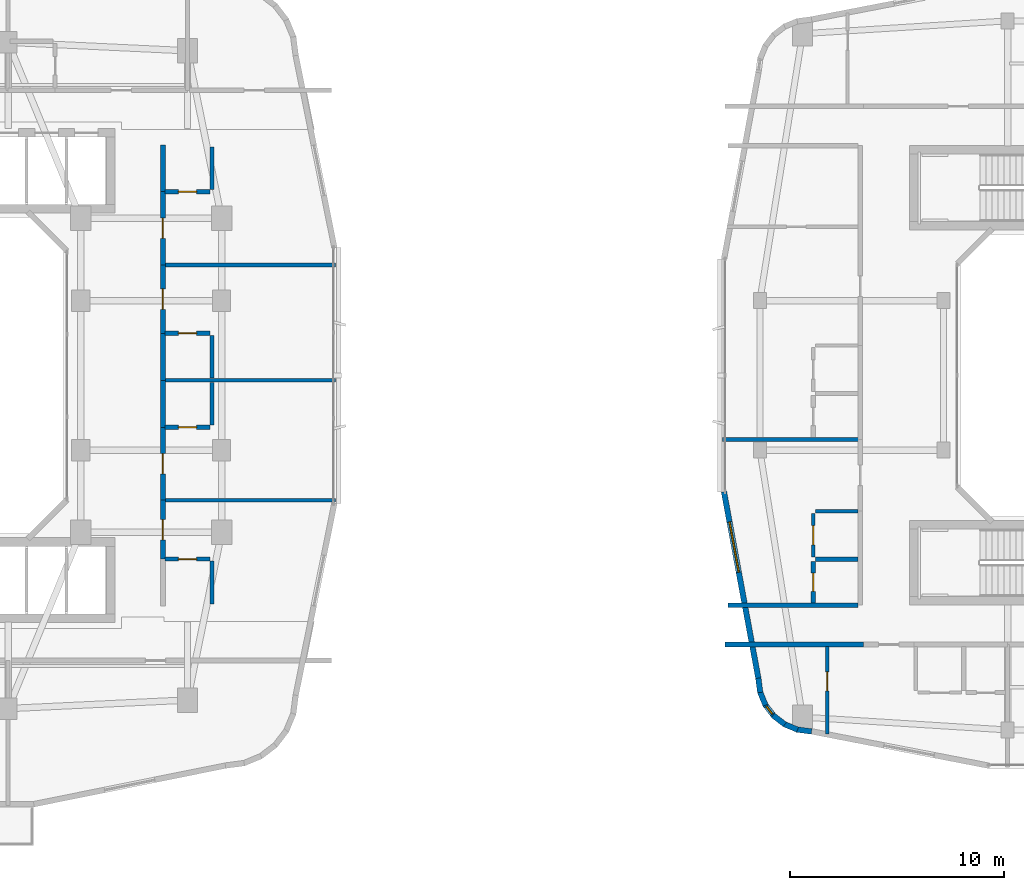
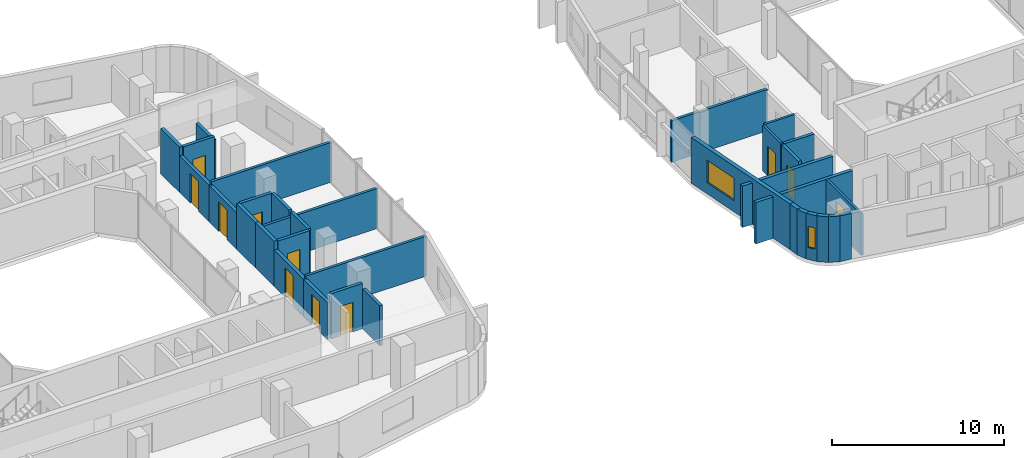
# One storey, part 13 of 26: 33 walls, 11 doors, 2 windows, 13 openings.
"""IFC4 building model written with IfcOpenShell, lengths in metres."""

from ifc_helpers import new_model, si_unit, derived_unit, direction, frame, frame_2d, origin, place, context, subcontext, project, spatial, rectangle, extrude, material, layer, layer_set, type_object, element, fill, save


model = new_model("IFC4")

# Units and contexts
model_context = context("Model", 3, precision=1e-05, world=origin(), true_north=direction((0.0, 1.0)))
body_context = subcontext(model_context, "Body", "Model", "MODEL_VIEW")
ifc_project = project(units=[si_unit("LENGTHUNIT", "METRE"), si_unit("AREAUNIT", "SQUARE_METRE"), si_unit("VOLUMEUNIT", "CUBIC_METRE"), si_unit("PLANEANGLEUNIT", "RADIAN"), si_unit("MASSUNIT", "GRAM", prefix="KILO"), derived_unit("THERMALTRANSMITTANCEUNIT", [(si_unit("POWERUNIT", "WATT"), 1), (si_unit("LENGTHUNIT", "METRE"), -2), (si_unit("THERMODYNAMICTEMPERATUREUNIT", "KELVIN"), -1)])], contexts=[model_context])

# Site, building, storey
site_placement = place(None, origin())
site = spatial("IfcSite", under=ifc_project, at=site_placement, CompositionType="ELEMENT")
building_placement = place(site_placement, origin())
building = spatial("IfcBuilding", under=site, at=building_placement, Name="Kivonza Crest Hotel", CompositionType="ELEMENT")
storey_placement = place(building_placement, frame((0.0, 0.0, 95.0)))
storey = spatial("IfcBuildingStorey", under=building, at=storey_placement, Name="L25", CompositionType="ELEMENT", Elevation=95.0)

# Walls
ifc_material_1 = material(Name="High-density acoustic masonry inter-tenancy wall", Category="masonry")
ifc_layer_1 = layer(ifc_material_1, 0.179931640625)
ifc_layer_set_1 = layer_set([ifc_layer_1], Name="High-density acoustic masonry inter-tenancy wall")
wall_type_1 = type_object("IfcWallType", Name="WL-ACOU-180", PredefinedType="SOLIDWALL", material=ifc_layer_set_1)
for number, where, z_axis, x_axis, name in (
    (1, (33.050048828125, 19.156005859375, 0.0), (0.0, 0.0, 1.0), (1.0, 0.0, 0.0), "L25 interior partition WA-L25-T1E-DIV1"),
    (2, (33.050048828125, 24.77197265625, 0.0), (0.0, 0.0, 1.0), (1.0, 0.0, 0.0), "L25 interior partition WA-L25-T1E-DIV2"),
    (3, (33.050048828125, 30.172119140625, 0.0), (0.0, 0.0, 1.0), (1.0, 0.0, 0.0), "L25 interior partition WA-L25-T1E-DIV3"),
):
    element("IfcWall", number, at=place(storey_placement, frame(where, z_axis=z_axis, x_axis=x_axis)), inside=storey, type_object=wall_type_1, Name=name, PredefinedType="SOLIDWALL", context=body_context, shape_type="SweptSolid", body=[
        extrude(rectangle(XDim=8.08984375, YDim=0.179931640625, at=frame_2d((4.044921875, 0.0))), origin(), (0.0, 0.0, 1.0), 2.8349609375),
    ])
wall_1_placement = place(storey_placement, frame((59.260009765625, 22.0, 0.0), z_axis=(0.0, 0.0, 1.0), x_axis=(1.0, 0.0, 0.0)))
element("IfcWall", 4, at=wall_1_placement, inside=storey, type_object=wall_type_1, Name="L25 interior partition WA-L25-T2W-DIV1", PredefinedType="SOLIDWALL", context=body_context, shape_type="SweptSolid", body=[
    extrude(rectangle(XDim=6.43994140625, YDim=0.179931640625, at=frame_2d((3.219970703125, 0.0))), origin(), (0.0, 0.0, 1.0), 2.945068359375),
])

# Wall, opening, door
ifc_material_2 = material(Name="Autoclaved aerated concrete blockwork", Category="masonry")
ifc_layer_2 = layer(ifc_material_2, 0.219970703125)
ifc_layer_set_2 = layer_set([ifc_layer_2], Name="Autoclaved aerated concrete blockwork")
wall_type_2 = type_object("IfcWallType", Name="WL-ACOU-220", PredefinedType="SOLIDWALL", material=ifc_layer_set_2)
wall_2_placement = place(storey_placement, frame((33.050048828125, 16.39990234375, 0.0), z_axis=(0.0, 0.0, 1.0), x_axis=(0.0, 1.0, 0.0)))
wall_2 = element("IfcWall", 5, at=wall_2_placement, inside=storey, type_object=wall_type_2, Name="L25 interior partition WA-L25-E08-MCORR", PredefinedType="SOLIDWALL", context=body_context, shape_type="SweptSolid", body=[
    extrude(rectangle(XDim=2.756103515625, YDim=0.219970703125, at=frame_2d((1.3779296875, 0.0))), origin(), (0.0, 0.0, 1.0), 2.594970703125),
])
opening_1_placement = place(wall_2_placement, frame((0.903076171875, 0.0, 0.0)))
opening_1 = element("IfcOpeningElement", 6, at=opening_1_placement, cuts=wall_2, Name="Opening DU-60", PredefinedType="OPENING", context=body_context, shape_type="SweptSolid", body=[
    extrude(rectangle(XDim=0.949951171875, YDim=2.10009765625, at=frame_2d((0.47509765625, 1.050048828125))), frame((0.0, 0.1201171875, 0.0), z_axis=(0.0, -1.0, 0.0), x_axis=(1.0, 0.0, 0.0)), (0.0, 0.0, 1.0), 0.239990234375),
])
ifc_material_3 = material(Name="Hardwood timber oak", Category="wood")
door_type_1 = type_object("IfcDoorType", Name="DR-UNIT-950", OperationType="NOTDEFINED", PredefinedType="DOOR", material=ifc_material_3)
door_1_placement = place(opening_1_placement, frame((0.949951171875, 0.0, 0.0), z_axis=(0.0, 0.0, 1.0), x_axis=(-1.0, 0.0, 0.0)))
door_1 = element("IfcDoor", 7, at=door_1_placement, inside=storey, type_object=door_type_1, Name="L25 E08 guest unit entrance fire door", OperationType="SINGLE_SWING_RIGHT", OverallHeight=2.10009765625, OverallWidth=0.949951171875, PredefinedType="DOOR", context=body_context, shape_type="SweptSolid", body=[
    extrude(rectangle(XDim=0.949951171875, YDim=2.10009765625, at=frame_2d((0.47509765625, 1.050048828125))), frame((0.0, 0.02490234375, 0.0), z_axis=(0.0, -1.0, 0.0), x_axis=(1.0, 0.0, 0.0)), (0.0, 0.0, 1.0), 0.050048828125),
])
fill(opening_1, door_1)

# Wall
wall_3_placement = place(storey_placement, frame((33.050048828125, 22.572021484375, 0.0), z_axis=(0.0, 0.0, 1.0), x_axis=(0.0, 1.0, 0.0)))
element("IfcWall", 8, at=wall_3_placement, inside=storey, type_object=wall_type_2, Name="L25 interior partition WA-L25-E09-BCORR", PredefinedType="SOLIDWALL", context=body_context, shape_type="SweptSolid", body=[
    extrude(rectangle(XDim=2.199951171875, YDim=0.219970703125, at=frame_2d((1.10009765625, 0.0))), origin(), (0.0, 0.0, 1.0), 3.219970703125),
])

# Wall, opening, door
wall_4_placement = place(storey_placement, frame((33.050048828125, 19.156005859375, 0.0), z_axis=(0.0, 0.0, 1.0), x_axis=(0.0, 1.0, 0.0)))
wall_4 = element("IfcWall", 9, at=wall_4_placement, inside=storey, type_object=wall_type_2, Name="L25 interior partition WA-L25-E09-MCORR", PredefinedType="SOLIDWALL", context=body_context, shape_type="SweptSolid", body=[
    extrude(rectangle(XDim=3.416015625, YDim=0.219970703125, at=frame_2d((1.7080078125, 0.0))), origin(), (0.0, 0.0, 1.0), 2.594970703125),
])
opening_2_placement = place(wall_4_placement, frame((1.23291015625, 0.0, 0.0)))
opening_2 = element("IfcOpeningElement", 10, at=opening_2_placement, cuts=wall_4, Name="Opening DU-60", PredefinedType="OPENING", context=body_context, shape_type="SweptSolid", body=[
    extrude(rectangle(XDim=0.949951171875, YDim=2.10009765625, at=frame_2d((0.47509765625, 1.050048828125))), frame((0.0, 0.1201171875, 0.0), z_axis=(0.0, -1.0, 0.0), x_axis=(1.0, 0.0, 0.0)), (0.0, 0.0, 1.0), 0.239990234375),
])
door_2_placement = place(opening_2_placement, frame((0.949951171875, 0.0, 0.0), z_axis=(0.0, 0.0, 1.0), x_axis=(-1.0, 0.0, 0.0)))
door_2 = element("IfcDoor", 11, at=door_2_placement, inside=storey, type_object=door_type_1, Name="L25 E09 guest unit entrance fire door", OperationType="SINGLE_SWING_LEFT", OverallHeight=2.10009765625, OverallWidth=0.949951171875, PredefinedType="DOOR", context=body_context, shape_type="SweptSolid", body=[
    extrude(rectangle(XDim=0.949951171875, YDim=2.10009765625, at=frame_2d((0.47509765625, 1.050048828125))), frame((0.0, 0.02490234375, 0.0), z_axis=(0.0, -1.0, 0.0), x_axis=(1.0, 0.0, 0.0)), (0.0, 0.0, 1.0), 0.050048828125),
])
fill(opening_2, door_2)

# Wall
wall_5_placement = place(storey_placement, frame((33.050048828125, 24.77197265625, 0.0), z_axis=(0.0, 0.0, 1.0), x_axis=(0.0, 1.0, 0.0)))
element("IfcWall", 12, at=wall_5_placement, inside=storey, type_object=wall_type_2, Name="L25 interior partition WA-L25-E10-BCORR", PredefinedType="SOLIDWALL", context=body_context, shape_type="SweptSolid", body=[
    extrude(rectangle(XDim=2.199951171875, YDim=0.219970703125, at=frame_2d((1.10009765625, 0.0))), origin(), (0.0, 0.0, 1.0), 3.219970703125),
])

# Wall, opening, door
wall_6_placement = place(storey_placement, frame((33.050048828125, 26.971923828125, 0.0), z_axis=(0.0, 0.0, 1.0), x_axis=(0.0, 1.0, 0.0)))
wall_6 = element("IfcWall", 13, at=wall_6_placement, inside=storey, type_object=wall_type_2, Name="L25 interior partition WA-L25-E10-MCORR", PredefinedType="SOLIDWALL", context=body_context, shape_type="SweptSolid", body=[
    extrude(rectangle(XDim=3.2001953125, YDim=0.219970703125, at=frame_2d((1.60009765625, 0.0))), origin(), (0.0, 0.0, 1.0), 2.594970703125),
])
opening_3_placement = place(wall_6_placement, frame((1.125, 0.0, 0.0)))
opening_3 = element("IfcOpeningElement", 14, at=opening_3_placement, cuts=wall_6, Name="Opening DU-60", PredefinedType="OPENING", context=body_context, shape_type="SweptSolid", body=[
    extrude(rectangle(XDim=0.949951171875, YDim=2.10009765625, at=frame_2d((0.47509765625, 1.050048828125))), frame((0.0, 0.1201171875, 0.0), z_axis=(0.0, -1.0, 0.0), x_axis=(1.0, 0.0, 0.0)), (0.0, 0.0, 1.0), 0.239990234375),
])
door_3_placement = place(opening_3_placement, frame((0.949951171875, 0.0, 0.0), z_axis=(0.0, 0.0, 1.0), x_axis=(-1.0, 0.0, 0.0)))
door_3 = element("IfcDoor", 15, at=door_3_placement, inside=storey, type_object=door_type_1, Name="L25 E10 guest unit entrance fire door", OperationType="SINGLE_SWING_RIGHT", OverallHeight=2.10009765625, OverallWidth=0.949951171875, PredefinedType="DOOR", context=body_context, shape_type="SweptSolid", body=[
    extrude(rectangle(XDim=0.949951171875, YDim=2.10009765625, at=frame_2d((0.47509765625, 1.050048828125))), frame((0.0, 0.02490234375, 0.0), z_axis=(0.0, -1.0, 0.0), x_axis=(1.0, 0.0, 0.0)), (0.0, 0.0, 1.0), 0.050048828125),
])
fill(opening_3, door_3)

# Wall
wall_7_placement = place(storey_placement, frame((33.050048828125, 33.60009765625, 0.0), z_axis=(0.0, 0.0, 1.0), x_axis=(0.0, 1.0, 0.0)))
element("IfcWall", 16, at=wall_7_placement, inside=storey, type_object=wall_type_2, Name="L25 interior partition WA-L25-E11-BCORR", PredefinedType="SOLIDWALL", context=body_context, shape_type="SweptSolid", body=[
    extrude(rectangle(XDim=2.199951171875, YDim=0.219970703125, at=frame_2d((1.10009765625, 0.0))), origin(), (0.0, 0.0, 1.0), 3.219970703125),
])

# Wall, opening, door
wall_8_placement = place(storey_placement, frame((33.050048828125, 30.172119140625, 0.0), z_axis=(0.0, 0.0, 1.0), x_axis=(0.0, 1.0, 0.0)))
wall_8 = element("IfcWall", 17, at=wall_8_placement, inside=storey, type_object=wall_type_2, Name="L25 interior partition WA-L25-E11-MCORR", PredefinedType="SOLIDWALL", context=body_context, shape_type="SweptSolid", body=[
    extrude(rectangle(XDim=3.427978515625, YDim=0.219970703125, at=frame_2d((1.7138671875, 0.0))), origin(), (0.0, 0.0, 1.0), 2.594970703125),
])
opening_4_placement = place(wall_8_placement, frame((1.239013671875, 0.0, 0.0)))
opening_4 = element("IfcOpeningElement", 18, at=opening_4_placement, cuts=wall_8, Name="Opening DU-60", PredefinedType="OPENING", context=body_context, shape_type="SweptSolid", body=[
    extrude(rectangle(XDim=0.949951171875, YDim=2.10009765625, at=frame_2d((0.47509765625, 1.050048828125))), frame((0.0, 0.1201171875, 0.0), z_axis=(0.0, -1.0, 0.0), x_axis=(1.0, 0.0, 0.0)), (0.0, 0.0, 1.0), 0.239990234375),
])
door_4_placement = place(opening_4_placement, frame((0.949951171875, 0.0, 0.0), z_axis=(0.0, 0.0, 1.0), x_axis=(-1.0, 0.0, 0.0)))
door_4 = element("IfcDoor", 19, at=door_4_placement, inside=storey, type_object=door_type_1, Name="L25 E11 guest unit entrance fire door", OperationType="SINGLE_SWING_LEFT", OverallHeight=2.10009765625, OverallWidth=0.949951171875, PredefinedType="DOOR", context=body_context, shape_type="SweptSolid", body=[
    extrude(rectangle(XDim=0.949951171875, YDim=2.10009765625, at=frame_2d((0.47509765625, 1.050048828125))), frame((0.0, 0.02490234375, 0.0), z_axis=(0.0, -1.0, 0.0), x_axis=(1.0, 0.0, 0.0)), (0.0, 0.0, 1.0), 0.050048828125),
])
fill(opening_4, door_4)

# Walls
wall_9_placement = place(storey_placement, frame((59.360107421875, 12.39990234375, 0.0), z_axis=(0.0, 0.0, 1.0), x_axis=(1.0, 0.0, 0.0)))
element("IfcWall", 20, at=wall_9_placement, inside=storey, type_object=wall_type_2, Name="L25 interior partition WA-L25-A03-LCORR", PredefinedType="SOLIDWALL", context=body_context, shape_type="SweptSolid", body=[
    extrude(rectangle(XDim=6.489990234375, YDim=0.219970703125, at=frame_2d((3.2451171875, 0.0))), origin(), (0.0, 0.0, 1.0), 2.945068359375),
])
wall_10_placement = place(storey_placement, frame((59.52001953125, 14.239990234375, 0.0), z_axis=(0.0, 0.0, 1.0), x_axis=(1.0, 0.0, 0.0)))
element("IfcWall", 21, at=wall_10_placement, inside=storey, type_object=wall_type_2, Name="L25 interior partition WA-L25-T2W-ENDS", PredefinedType="SOLIDWALL", context=body_context, shape_type="SweptSolid", body=[
    extrude(rectangle(XDim=6.080078125, YDim=0.219970703125, at=frame_2d((3.0400390625, 0.0))), origin(), (0.0, 0.0, 1.0), 2.945068359375),
])
ifc_material_4 = material(Name="Precast concrete C40/50", Category="concrete")
ifc_layer_3 = layer(ifc_material_4, 0.260009765625)
ifc_layer_set_3 = layer_set([ifc_layer_3], Name="Precast concrete C40/50")
wall_type_3 = type_object("IfcWallType", Name="WL-EXT-260", PredefinedType="STANDARD", material=ifc_layer_set_3)
wall_11_placement = place(storey_placement, frame((60.927978515625, 10.824951171875, 0.0), z_axis=(0.0, 0.0, 1.0), x_axis=(0.131667498923, -0.991293937098, 0.0)))
element("IfcWall", 22, at=wall_11_placement, inside=storey, type_object=wall_type_3, Name="L25 T2 exterior insulated wall 1", PredefinedType="STANDARD", context=body_context, shape_type="SweptSolid", body=[
    extrude(rectangle(XDim=0.6767578125, YDim=0.260009765625, at=frame_2d((0.33837890625, 0.0))), origin(), (0.0, 0.0, 1.0), 3.25),
])
wall_12_placement = place(storey_placement, frame((60.9990234375, 10.199951171875, 0.0), z_axis=(0.0, 0.0, 1.0), x_axis=(0.381988976935, -0.924166879681, 0.0)))
element("IfcWall", 23, at=wall_12_placement, inside=storey, type_object=wall_type_3, Name="L25 T2 exterior insulated wall 2", PredefinedType="STANDARD", context=body_context, shape_type="SweptSolid", body=[
    extrude(rectangle(XDim=0.693359375, YDim=0.260009765625, at=frame_2d((0.3466796875, 0.0))), origin(), (0.0, 0.0, 1.0), 3.25),
])

# Wall, opening, window
wall_13_placement = place(storey_placement, frame((61.236083984375, 9.59912109375, 0.0), z_axis=(0.0, 0.0, 1.0), x_axis=(0.609472651958, -0.792807092876, 0.0)))
wall_13 = element("IfcWall", 24, at=wall_13_placement, inside=storey, type_object=wall_type_3, Name="L25 T2 exterior insulated wall 3", PredefinedType="STANDARD", context=body_context, shape_type="SweptSolid", body=[
    extrude(rectangle(XDim=0.69384765625, YDim=0.260009765625, at=frame_2d((0.346923828125, 0.0))), origin(), (0.0, 0.0, 1.0), 3.25),
])
opening_5_placement = place(wall_13_placement, frame((0.1220703125, 0.0, 0.85009765625)))
opening_5 = element("IfcOpeningElement", 25, at=opening_5_placement, cuts=wall_13, Name="Opening WN-11", PredefinedType="OPENING", context=body_context, shape_type="SweptSolid", body=[
    extrude(rectangle(XDim=0.449951171875, YDim=1.5, at=frame_2d((0.22509765625, 0.75))), frame((0.0, 0.14013671875, 0.0), z_axis=(0.0, -1.0, 0.0), x_axis=(1.0, 0.0, 0.0)), (0.0, 0.0, 1.0), 0.280029296875),
])
ifc_material_5 = material(Name="Thermally broken bronze aluminium and low-E double glazing", Category="aluminium")
window_type_1 = type_object("IfcWindowType", Name="WN-045x150", PartitioningType="SINGLE_PANEL", PredefinedType="WINDOW", material=ifc_material_5)
window_1_placement = place(opening_5_placement, origin())
window_1 = element("IfcWindow", 26, at=window_1_placement, inside=storey, type_object=window_type_1, Name="L25 corner vision window 5", OverallHeight=1.5, OverallWidth=0.449951171875, PartitioningType="SINGLE_PANEL", PredefinedType="WINDOW", context=body_context, shape_type="SweptSolid", body=[
    extrude(rectangle(XDim=0.449951171875, YDim=1.5, at=frame_2d((0.22509765625, 0.75))), frame((0.0, 0.030029296875, 0.0), z_axis=(0.0, -1.0, 0.0), x_axis=(1.0, 0.0, 0.0)), (0.0, 0.0, 1.0), 0.06005859375),
])
fill(opening_5, window_1)

# Walls
wall_14_placement = place(storey_placement, frame((61.62109375, 9.080078125, 0.0), z_axis=(0.0, 0.0, 1.0), x_axis=(0.792506234191, -0.609863811657, 0.0)))
element("IfcWall", 27, at=wall_14_placement, inside=storey, type_object=wall_type_3, Name="L25 T2 exterior insulated wall 4", PredefinedType="STANDARD", context=body_context, shape_type="SweptSolid", body=[
    extrude(rectangle(XDim=0.69384765625, YDim=0.260009765625, at=frame_2d((0.346923828125, 0.0))), origin(), (0.0, 0.0, 1.0), 3.25),
])
wall_15_placement = place(storey_placement, frame((62.126953125, 8.677978515625, 0.0), z_axis=(0.0, 0.0, 1.0), x_axis=(0.92421822618, -0.381864727877, 0.0)))
element("IfcWall", 28, at=wall_15_placement, inside=storey, type_object=wall_type_3, Name="L25 T2 exterior insulated wall 5", PredefinedType="STANDARD", context=body_context, shape_type="SweptSolid", body=[
    extrude(rectangle(XDim=0.693603515625, YDim=0.260009765625, at=frame_2d((0.3466796875, 0.0))), origin(), (0.0, 0.0, 1.0), 3.25),
])
wall_16_placement = place(storey_placement, frame((62.718994140625, 8.4208984375, 0.0), z_axis=(0.0, 0.0, 1.0), x_axis=(0.991433279471, -0.130614135366, 0.0)))
element("IfcWall", 29, at=wall_16_placement, inside=storey, type_object=wall_type_3, Name="L25 T2 exterior insulated wall 6", PredefinedType="STANDARD", context=body_context, shape_type="SweptSolid", body=[
    extrude(rectangle(XDim=0.712158203125, YDim=0.260009765625, at=frame_2d((0.35595703125, 0.0))), origin(), (0.0, 0.0, 1.0), 3.25),
])

# Wall, opening, window
wall_17_placement = place(storey_placement, frame((59.318115234375, 19.55810546875, 0.0), z_axis=(0.0, 0.0, 1.0), x_axis=(0.181209963057, -0.983444431215, 0.0)))
wall_17 = element("IfcWall", 30, at=wall_17_placement, inside=storey, type_object=wall_type_3, Name="L25 T2 exterior insulated wall 36", PredefinedType="STANDARD", context=body_context, shape_type="SweptSolid", body=[
    extrude(rectangle(XDim=8.889404296875, YDim=0.260009765625, at=frame_2d((4.44482421875, 0.0))), origin(), (0.0, 0.0, 1.0), 3.25),
])
opening_6_placement = place(wall_17_placement, frame((1.444091796875, 0.0, 0.800048828125)))
opening_6 = element("IfcOpeningElement", 31, at=opening_6_placement, cuts=wall_17, Name="Opening WN-05", PredefinedType="OPENING", context=body_context, shape_type="SweptSolid", body=[
    extrude(rectangle(XDim=2.39990234375, YDim=1.60009765625, at=frame_2d((1.199951171875, 0.800048828125))), frame((0.0, 0.14013671875, 0.0), z_axis=(0.0, -1.0, 0.0), x_axis=(1.0, 0.0, 0.0)), (0.0, 0.0, 1.0), 0.280029296875),
])
window_type_2 = type_object("IfcWindowType", Name="WN-240x160", PartitioningType="TRIPLE_PANEL_VERTICAL", PredefinedType="WINDOW", material=ifc_material_5)
window_2_placement = place(opening_6_placement, origin())
window_2 = element("IfcWindow", 32, at=window_2_placement, inside=storey, type_object=window_type_2, Name="L25 T2 facade window 36", OverallHeight=1.60009765625, OverallWidth=2.39990234375, PartitioningType="SINGLE_PANEL", PredefinedType="WINDOW", context=body_context, shape_type="SweptSolid", body=[
    extrude(rectangle(XDim=2.39990234375, YDim=1.60009765625, at=frame_2d((1.199951171875, 0.800048828125))), frame((0.0, 0.030029296875, 0.0), z_axis=(0.0, -1.0, 0.0), x_axis=(1.0, 0.0, 0.0)), (0.0, 0.0, 1.0), 0.06005859375),
])
fill(opening_6, window_2)

# Wall, opening, door
ifc_material_6 = material(Name="Twin-stud acoustic gypsum board partition", Category="gypsum")
ifc_layer_4 = layer(ifc_material_6, 0.14990234375)
ifc_layer_set_4 = layer_set([ifc_layer_4], Name="Twin-stud acoustic gypsum board partition")
wall_type_4 = type_object("IfcWallType", Name="WL-PART-150", PredefinedType="PARTITIONING", material=ifc_layer_set_4)
wall_18_placement = place(storey_placement, frame((64.159912109375, 8.214111328125, 0.0), z_axis=(0.0, 0.0, 1.0), x_axis=(0.0, 1.0, 0.0)))
wall_18 = element("IfcWall", 33, at=wall_18_placement, inside=storey, type_object=wall_type_4, Name="L25 interior partition WP-L25-A03-BDW1", PredefinedType="PARTITIONING", context=body_context, shape_type="SweptSolid", body=[
    extrude(rectangle(XDim=4.0859375, YDim=0.14990234375, at=frame_2d((2.04296875, 0.0))), origin(), (0.0, 0.0, 1.0), 2.945068359375),
])
opening_7_placement = place(wall_18_placement, frame((2.010009765625, 0.0, 0.0)))
opening_7 = element("IfcOpeningElement", 34, at=opening_7_placement, cuts=wall_18, Name="Opening DI-90", PredefinedType="OPENING", context=body_context, shape_type="SweptSolid", body=[
    extrude(rectangle(XDim=0.89990234375, YDim=2.10009765625, at=frame_2d((0.449951171875, 1.050048828125))), frame((0.0, 0.0849609375, 0.0), z_axis=(0.0, -1.0, 0.0), x_axis=(1.0, 0.0, 0.0)), (0.0, 0.0, 1.0), 0.169921875),
])
door_type_2 = type_object("IfcDoorType", Name="DR-INT-900", OperationType="NOTDEFINED", PredefinedType="DOOR", material=ifc_material_3)
door_5_placement = place(opening_7_placement, origin())
door_5 = element("IfcDoor", 35, at=door_5_placement, inside=storey, type_object=door_type_2, Name="L25 A03 bedroom 1 door", OperationType="SINGLE_SWING_RIGHT", OverallHeight=2.10009765625, OverallWidth=0.89990234375, PredefinedType="DOOR", context=body_context, shape_type="SweptSolid", body=[
    extrude(rectangle(XDim=0.89990234375, YDim=2.10009765625, at=frame_2d((0.449951171875, 1.050048828125))), frame((0.0, 0.02490234375, 0.0), z_axis=(0.0, -1.0, 0.0), x_axis=(1.0, 0.0, 0.0)), (0.0, 0.0, 1.0), 0.050048828125),
])
fill(opening_7, door_5)

# Wall
wall_19_placement = place(storey_placement, frame((63.60009765625, 18.639892578125, 0.0), z_axis=(0.0, 0.0, 1.0), x_axis=(1.0, 0.0, 0.0)))
element("IfcWall", 36, at=wall_19_placement, inside=storey, type_object=wall_type_4, Name="L25 interior partition WP-L25-A05-KF", PredefinedType="PARTITIONING", context=body_context, shape_type="SweptSolid", body=[
    extrude(rectangle(XDim=2.0, YDim=0.14990234375, at=frame_2d((1.0, 0.0))), origin(), (0.0, 0.0, 1.0), 3.219970703125),
])

# Wall, opening, door
wall_20_placement = place(storey_placement, frame((63.5, 16.489990234375, 0.0), z_axis=(0.0, 0.0, 1.0), x_axis=(0.0, 1.0, 0.0)))
wall_20 = element("IfcWall", 37, at=wall_20_placement, inside=storey, type_object=wall_type_4, Name="L25 interior partition WP-L25-A05-KSVC", PredefinedType="PARTITIONING", context=body_context, shape_type="SweptSolid", body=[
    extrude(rectangle(XDim=2.050048828125, YDim=0.14990234375, at=frame_2d((1.02490234375, 0.0))), origin(), (0.0, 0.0, 1.0), 3.219970703125),
])
opening_8_placement = place(wall_20_placement, frame((0.574951171875, 0.0, 0.0)))
opening_8 = element("IfcOpeningElement", 38, at=opening_8_placement, cuts=wall_20, Name="Opening DI-90", PredefinedType="OPENING", context=body_context, shape_type="SweptSolid", body=[
    extrude(rectangle(XDim=0.89990234375, YDim=2.10009765625, at=frame_2d((0.449951171875, 1.050048828125))), frame((0.0, 0.0849609375, 0.0), z_axis=(0.0, -1.0, 0.0), x_axis=(1.0, 0.0, 0.0)), (0.0, 0.0, 1.0), 0.169921875),
])
door_6_placement = place(opening_8_placement, origin())
door_6 = element("IfcDoor", 39, at=door_6_placement, inside=storey, type_object=door_type_2, Name="L25 A05 apartment kitchen door", OperationType="SINGLE_SWING_LEFT", OverallHeight=2.10009765625, OverallWidth=0.89990234375, PredefinedType="DOOR", context=body_context, shape_type="SweptSolid", body=[
    extrude(rectangle(XDim=0.89990234375, YDim=2.10009765625, at=frame_2d((0.449951171875, 1.050048828125))), frame((0.0, 0.02490234375, 0.0), z_axis=(0.0, -1.0, 0.0), x_axis=(1.0, 0.0, 0.0)), (0.0, 0.0, 1.0), 0.050048828125),
])
fill(opening_8, door_6)

ifc_material_7 = material(Name="Moisture-resistant plumbing chase partition wall", Category="gypsum")
ifc_layer_5 = layer(ifc_material_7, 0.199951171875)
ifc_layer_set_5 = layer_set([ifc_layer_5], Name="Moisture-resistant plumbing chase partition wall")
wall_type_5 = type_object("IfcWallType", Name="WL-PLUMB-200", PredefinedType="PLUMBINGWALL", material=ifc_layer_set_5)
wall_21_placement = place(storey_placement, frame((33.14990234375, 16.39990234375, 0.0), z_axis=(0.0, 0.0, 1.0), x_axis=(1.0, 0.0, 0.0)))
wall_21 = element("IfcWall", 40, at=wall_21_placement, inside=storey, type_object=wall_type_5, Name="L25 interior partition WW-L25-E08-BH", PredefinedType="PLUMBINGWALL", context=body_context, shape_type="SweptSolid", body=[
    extrude(rectangle(XDim=2.10009765625, YDim=0.199951171875, at=frame_2d((1.050048828125, 0.0))), origin(), (0.0, 0.0, 1.0), 3.219970703125),
])
opening_9_placement = place(wall_21_placement, frame((0.625, 0.0, 0.0)))
opening_9 = element("IfcOpeningElement", 41, at=opening_9_placement, cuts=wall_21, Name="Opening DI-85", PredefinedType="OPENING", context=body_context, shape_type="SweptSolid", body=[
    extrude(rectangle(XDim=0.85009765625, YDim=2.10009765625, at=frame_2d((0.425048828125, 1.050048828125))), frame((0.0, 0.10986328125, 0.0), z_axis=(0.0, -1.0, 0.0), x_axis=(1.0, 0.0, 0.0)), (0.0, 0.0, 1.0), 0.219970703125),
])
door_type_3 = type_object("IfcDoorType", Name="DR-INT-850", OperationType="NOTDEFINED", PredefinedType="DOOR", material=ifc_material_3)
door_7_placement = place(opening_9_placement, origin())
door_7 = element("IfcDoor", 42, at=door_7_placement, inside=storey, type_object=door_type_3, Name="L25 E08 en-suite bathroom door", OperationType="SINGLE_SWING_LEFT", OverallHeight=2.10009765625, OverallWidth=0.85009765625, PredefinedType="DOOR", context=body_context, shape_type="SweptSolid", body=[
    extrude(rectangle(XDim=0.85009765625, YDim=2.10009765625, at=frame_2d((0.425048828125, 1.050048828125))), frame((0.0, 0.02490234375, 0.0), z_axis=(0.0, -1.0, 0.0), x_axis=(1.0, 0.0, 0.0)), (0.0, 0.0, 1.0), 0.050048828125),
])
fill(opening_9, door_7)

# Wall
wall_22_placement = place(storey_placement, frame((35.35009765625, 14.300048828125, 0.0), z_axis=(0.0, 0.0, 1.0), x_axis=(0.0, 1.0, 0.0)))
element("IfcWall", 43, at=wall_22_placement, inside=storey, type_object=wall_type_5, Name="L25 interior partition WW-L25-E08-BV", PredefinedType="PLUMBINGWALL", context=body_context, shape_type="SweptSolid", body=[
    extrude(rectangle(XDim=2.0, YDim=0.199951171875, at=frame_2d((1.0, 0.0))), origin(), (0.0, 0.0, 1.0), 2.8349609375),
])

# Wall, opening, door
wall_23_placement = place(storey_placement, frame((33.14990234375, 22.572021484375, 0.0), z_axis=(0.0, 0.0, 1.0), x_axis=(1.0, 0.0, 0.0)))
wall_23 = element("IfcWall", 44, at=wall_23_placement, inside=storey, type_object=wall_type_5, Name="L25 interior partition WW-L25-E09-BH", PredefinedType="PLUMBINGWALL", context=body_context, shape_type="SweptSolid", body=[
    extrude(rectangle(XDim=2.10009765625, YDim=0.199951171875, at=frame_2d((1.050048828125, 0.0))), origin(), (0.0, 0.0, 1.0), 3.219970703125),
])
opening_10_placement = place(wall_23_placement, frame((0.625, 0.0, 0.0)))
opening_10 = element("IfcOpeningElement", 45, at=opening_10_placement, cuts=wall_23, Name="Opening DI-85", PredefinedType="OPENING", context=body_context, shape_type="SweptSolid", body=[
    extrude(rectangle(XDim=0.85009765625, YDim=2.10009765625, at=frame_2d((0.425048828125, 1.050048828125))), frame((0.0, 0.10986328125, 0.0), z_axis=(0.0, -1.0, 0.0), x_axis=(1.0, 0.0, 0.0)), (0.0, 0.0, 1.0), 0.219970703125),
])
door_8_placement = place(opening_10_placement, frame((0.85009765625, 0.0, 0.0), z_axis=(0.0, 0.0, 1.0), x_axis=(-1.0, 0.0, 0.0)))
door_8 = element("IfcDoor", 46, at=door_8_placement, inside=storey, type_object=door_type_3, Name="L25 E09 en-suite bathroom door", OperationType="SINGLE_SWING_RIGHT", OverallHeight=2.10009765625, OverallWidth=0.85009765625, PredefinedType="DOOR", context=body_context, shape_type="SweptSolid", body=[
    extrude(rectangle(XDim=0.85009765625, YDim=2.10009765625, at=frame_2d((0.425048828125, 1.050048828125))), frame((0.0, 0.02490234375, 0.0), z_axis=(0.0, -1.0, 0.0), x_axis=(1.0, 0.0, 0.0)), (0.0, 0.0, 1.0), 0.050048828125),
])
fill(opening_10, door_8)

# Wall
wall_24_placement = place(storey_placement, frame((35.35009765625, 22.672119140625, 0.0), z_axis=(0.0, 0.0, 1.0), x_axis=(0.0, 1.0, 0.0)))
element("IfcWall", 47, at=wall_24_placement, inside=storey, type_object=wall_type_5, Name="L25 interior partition WW-L25-E09-BV", PredefinedType="PLUMBINGWALL", context=body_context, shape_type="SweptSolid", body=[
    extrude(rectangle(XDim=2.0, YDim=0.199951171875, at=frame_2d((1.0, 0.0))), origin(), (0.0, 0.0, 1.0), 3.219970703125),
])

# Wall, opening, door
wall_25_placement = place(storey_placement, frame((33.14990234375, 26.971923828125, 0.0), z_axis=(0.0, 0.0, 1.0), x_axis=(1.0, 0.0, 0.0)))
wall_25 = element("IfcWall", 48, at=wall_25_placement, inside=storey, type_object=wall_type_5, Name="L25 interior partition WW-L25-E10-BH", PredefinedType="PLUMBINGWALL", context=body_context, shape_type="SweptSolid", body=[
    extrude(rectangle(XDim=2.10009765625, YDim=0.199951171875, at=frame_2d((1.050048828125, 0.0))), origin(), (0.0, 0.0, 1.0), 3.219970703125),
])
opening_11_placement = place(wall_25_placement, frame((0.625, 0.0, 0.0)))
opening_11 = element("IfcOpeningElement", 49, at=opening_11_placement, cuts=wall_25, Name="Opening DI-85", PredefinedType="OPENING", context=body_context, shape_type="SweptSolid", body=[
    extrude(rectangle(XDim=0.85009765625, YDim=2.10009765625, at=frame_2d((0.425048828125, 1.050048828125))), frame((0.0, 0.10986328125, 0.0), z_axis=(0.0, -1.0, 0.0), x_axis=(1.0, 0.0, 0.0)), (0.0, 0.0, 1.0), 0.219970703125),
])
door_9_placement = place(opening_11_placement, origin())
door_9 = element("IfcDoor", 50, at=door_9_placement, inside=storey, type_object=door_type_3, Name="L25 E10 en-suite bathroom door", OperationType="SINGLE_SWING_LEFT", OverallHeight=2.10009765625, OverallWidth=0.85009765625, PredefinedType="DOOR", context=body_context, shape_type="SweptSolid", body=[
    extrude(rectangle(XDim=0.85009765625, YDim=2.10009765625, at=frame_2d((0.425048828125, 1.050048828125))), frame((0.0, 0.02490234375, 0.0), z_axis=(0.0, -1.0, 0.0), x_axis=(1.0, 0.0, 0.0)), (0.0, 0.0, 1.0), 0.050048828125),
])
fill(opening_11, door_9)

# Wall
wall_26_placement = place(storey_placement, frame((35.35009765625, 24.8720703125, 0.0), z_axis=(0.0, 0.0, 1.0), x_axis=(0.0, 1.0, 0.0)))
element("IfcWall", 51, at=wall_26_placement, inside=storey, type_object=wall_type_5, Name="L25 interior partition WW-L25-E10-BV", PredefinedType="PLUMBINGWALL", context=body_context, shape_type="SweptSolid", body=[
    extrude(rectangle(XDim=2.0, YDim=0.199951171875, at=frame_2d((1.0, 0.0))), origin(), (0.0, 0.0, 1.0), 3.219970703125),
])

# Wall, opening, door
wall_27_placement = place(storey_placement, frame((33.14990234375, 33.60009765625, 0.0), z_axis=(0.0, 0.0, 1.0), x_axis=(1.0, 0.0, 0.0)))
wall_27 = element("IfcWall", 52, at=wall_27_placement, inside=storey, type_object=wall_type_5, Name="L25 interior partition WW-L25-E11-BH", PredefinedType="PLUMBINGWALL", context=body_context, shape_type="SweptSolid", body=[
    extrude(rectangle(XDim=2.10009765625, YDim=0.199951171875, at=frame_2d((1.050048828125, 0.0))), origin(), (0.0, 0.0, 1.0), 3.219970703125),
])
opening_12_placement = place(wall_27_placement, frame((0.625, 0.0, 0.0)))
opening_12 = element("IfcOpeningElement", 53, at=opening_12_placement, cuts=wall_27, Name="Opening DI-85", PredefinedType="OPENING", context=body_context, shape_type="SweptSolid", body=[
    extrude(rectangle(XDim=0.85009765625, YDim=2.10009765625, at=frame_2d((0.425048828125, 1.050048828125))), frame((0.0, 0.10986328125, 0.0), z_axis=(0.0, -1.0, 0.0), x_axis=(1.0, 0.0, 0.0)), (0.0, 0.0, 1.0), 0.219970703125),
])
door_10_placement = place(opening_12_placement, frame((0.85009765625, 0.0, 0.0), z_axis=(0.0, 0.0, 1.0), x_axis=(-1.0, 0.0, 0.0)))
door_10 = element("IfcDoor", 54, at=door_10_placement, inside=storey, type_object=door_type_3, Name="L25 E11 en-suite bathroom door", OperationType="SINGLE_SWING_RIGHT", OverallHeight=2.10009765625, OverallWidth=0.85009765625, PredefinedType="DOOR", context=body_context, shape_type="SweptSolid", body=[
    extrude(rectangle(XDim=0.85009765625, YDim=2.10009765625, at=frame_2d((0.425048828125, 1.050048828125))), frame((0.0, 0.02490234375, 0.0), z_axis=(0.0, -1.0, 0.0), x_axis=(1.0, 0.0, 0.0)), (0.0, 0.0, 1.0), 0.050048828125),
])
fill(opening_12, door_10)

# Walls
wall_28_placement = place(storey_placement, frame((35.35009765625, 33.699951171875, 0.0), z_axis=(0.0, 0.0, 1.0), x_axis=(0.0, 1.0, 0.0)))
element("IfcWall", 55, at=wall_28_placement, inside=storey, type_object=wall_type_5, Name="L25 interior partition WW-L25-E11-BV", PredefinedType="PLUMBINGWALL", context=body_context, shape_type="SweptSolid", body=[
    extrude(rectangle(XDim=2.0, YDim=0.199951171875, at=frame_2d((1.0, 0.0))), origin(), (0.0, 0.0, 1.0), 2.8349609375),
])
wall_29_placement = place(storey_placement, frame((63.60009765625, 16.389892578125, 0.0), z_axis=(0.0, 0.0, 1.0), x_axis=(1.0, 0.0, 0.0)))
element("IfcWall", 56, at=wall_29_placement, inside=storey, type_object=wall_type_5, Name="L25 interior partition WW-L25-A05-BK", PredefinedType="PLUMBINGWALL", context=body_context, shape_type="SweptSolid", body=[
    extrude(rectangle(XDim=2.0, YDim=0.199951171875, at=frame_2d((1.0, 0.0))), origin(), (0.0, 0.0, 1.0), 3.219970703125),
])

# Wall, opening, door
wall_30_placement = place(storey_placement, frame((63.5, 14.340087890625, 0.0), z_axis=(0.0, 0.0, 1.0), x_axis=(0.0, 1.0, 0.0)))
wall_30 = element("IfcWall", 57, at=wall_30_placement, inside=storey, type_object=wall_type_5, Name="L25 interior partition WW-L25-A05-BSVC", PredefinedType="PLUMBINGWALL", context=body_context, shape_type="SweptSolid", body=[
    extrude(rectangle(XDim=1.949951171875, YDim=0.199951171875, at=frame_2d((0.97509765625, 0.0))), origin(), (0.0, 0.0, 1.0), 3.219970703125),
])
opening_13_placement = place(wall_30_placement, frame((0.550048828125, 0.0, 0.0)))
opening_13 = element("IfcOpeningElement", 58, at=opening_13_placement, cuts=wall_30, Name="Opening DI-85", PredefinedType="OPENING", context=body_context, shape_type="SweptSolid", body=[
    extrude(rectangle(XDim=0.85009765625, YDim=2.10009765625, at=frame_2d((0.425048828125, 1.050048828125))), frame((0.0, 0.10986328125, 0.0), z_axis=(0.0, -1.0, 0.0), x_axis=(1.0, 0.0, 0.0)), (0.0, 0.0, 1.0), 0.219970703125),
])
door_11_placement = place(opening_13_placement, origin())
door_11 = element("IfcDoor", 59, at=door_11_placement, inside=storey, type_object=door_type_3, Name="L25 A05 apartment bathroom door", OperationType="SINGLE_SWING_RIGHT", OverallHeight=2.10009765625, OverallWidth=0.85009765625, PredefinedType="DOOR", context=body_context, shape_type="SweptSolid", body=[
    extrude(rectangle(XDim=0.85009765625, YDim=2.10009765625, at=frame_2d((0.425048828125, 1.050048828125))), frame((0.0, 0.02490234375, 0.0), z_axis=(0.0, -1.0, 0.0), x_axis=(1.0, 0.0, 0.0)), (0.0, 0.0, 1.0), 0.050048828125),
])
fill(opening_13, door_11)

save(model, "model.ifc")
